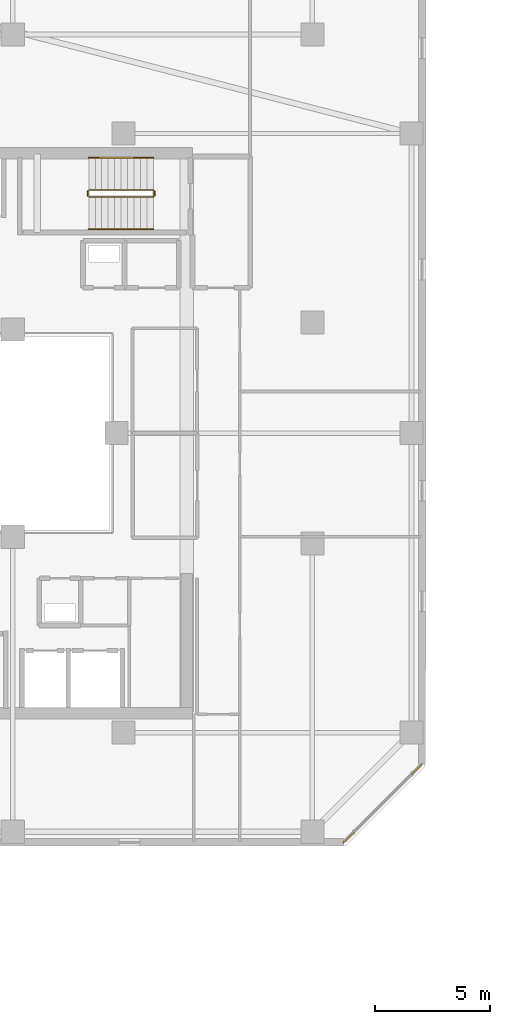
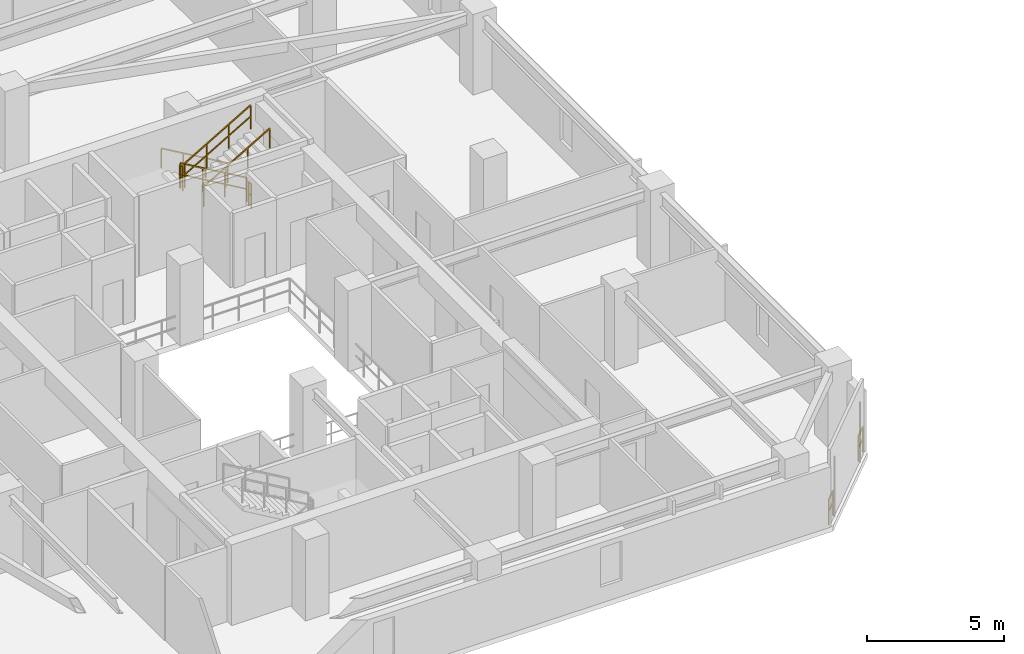
# One storey, part 31 of 33: 8 railings.
"""IFC4 building model written with IfcOpenShell, lengths in metres."""

from ifc_helpers import new_model, si_unit, direction, frame, origin, origin_2d, place, context, subcontext, project, spatial, rectangle, extrude, material, type_object, element, save


model = new_model("IFC4")

# Units and contexts
model_context = context("Model", 3, precision=1e-05, world=origin(), true_north=direction((0.0, 1.0)))
body_context = subcontext(model_context, "Body", "Model", "MODEL_VIEW")
ifc_project = project(units=[si_unit("LENGTHUNIT", "METRE"), si_unit("AREAUNIT", "SQUARE_METRE"), si_unit("VOLUMEUNIT", "CUBIC_METRE"), si_unit("PLANEANGLEUNIT", "RADIAN"), si_unit("MASSUNIT", "GRAM", prefix="KILO")], contexts=[model_context])

# Site, building, storey
site_placement = place(None, origin())
site = spatial("IfcSite", under=ifc_project, at=site_placement, CompositionType="ELEMENT")
building_placement = place(site_placement, origin())
building = spatial("IfcBuilding", under=site, at=building_placement, Name="Thornwick Lancets Civic Towers", CompositionType="ELEMENT")
storey_placement = place(building_placement, frame((0.0, 0.0, 210.89990234375)))
storey = spatial("IfcBuildingStorey", under=building, at=storey_placement, Name="L56", CompositionType="ELEMENT", Elevation=210.89990234375)

# Railings
ifc_material_1 = material(Name="Brushed stainless steel S355", Category="steel")
railing_type_1 = type_object("IfcRailingType", Name="RAIL_HANDRAIL", PredefinedType="HANDRAIL", material=ifc_material_1)
railing_1_placement = place(storey_placement, frame((31.60009765625, 38.949951171875, 0.163818359375)))
element("IfcRailing", 1, at=railing_1_placement, inside=storey, type_object=railing_type_1, Name="L56 ST-A2 stair handrail 1", PredefinedType="HANDRAIL", context=body_context, shape_type="SweptSolid", body=[
    extrude(rectangle(XDim=0.048095703125, YDim=0.048095703125, at=origin_2d()), frame((0.0, 0.0, 0.8857421875), z_axis=(-0.863393664356, 0.0, 0.504530851732), x_axis=(0.0, -1.0, 0.0)), (0.0, 0.0, 1.0), 3.2431640625),
    extrude(rectangle(XDim=0.0419921875, YDim=0.0419921875, at=origin_2d()), origin(), (0.0, 0.0, 1.0), 0.855712890625),
    extrude(rectangle(XDim=0.0419921875, YDim=0.0419921875, at=origin_2d()), frame((-0.933349609375, 0.0, 0.54541015625)), (0.0, 0.0, 1.0), 0.855712890625),
    extrude(rectangle(XDim=0.0419921875, YDim=0.0419921875, at=origin_2d()), frame((-1.86669921875, 0.0, 1.0908203125)), (0.0, 0.0, 1.0), 0.855712890625),
    extrude(rectangle(XDim=0.0419921875, YDim=0.0419921875, at=origin_2d()), frame((-2.800048828125, 0.0, 1.63623046875)), (0.0, 0.0, 1.0), 0.855712890625),
])
railing_2_placement = place(storey_placement, frame((28.800048828125, 35.85009765625, 1.963623046875)))
element("IfcRailing", 2, at=railing_2_placement, inside=storey, type_object=railing_type_1, Name="L56 ST-A2 stair handrail 2", PredefinedType="HANDRAIL", context=body_context, shape_type="SweptSolid", body=[
    extrude(rectangle(XDim=0.048095703125, YDim=0.048095703125, at=origin_2d()), frame((0.0, 0.0, 0.8857421875), z_axis=(0.863360870873, 0.0, 0.504586966384), x_axis=(0.0, 1.0, 0.0)), (0.0, 0.0, 1.0), 3.2431640625),
    extrude(rectangle(XDim=0.0419921875, YDim=0.0419921875, at=origin_2d()), origin(), (0.0, 0.0, 1.0), 0.855712890625),
    extrude(rectangle(XDim=0.0419921875, YDim=0.0419921875, at=origin_2d()), frame((0.933349609375, 0.0, 0.54541015625)), (0.0, 0.0, 1.0), 0.855712890625),
    extrude(rectangle(XDim=0.0419921875, YDim=0.0419921875, at=origin_2d()), frame((1.86669921875, 0.0, 1.091064453125)), (0.0, 0.0, 1.0), 0.855712890625),
    extrude(rectangle(XDim=0.0419921875, YDim=0.0419921875, at=origin_2d()), frame((2.800048828125, 0.0, 1.636474609375)), (0.0, 0.0, 1.0), 0.855712890625),
])
ifc_material_2 = material(Name="Steel S355JR", Category="steel")
railing_type_2 = type_object("IfcRailingType", Name="RAIL_STAIR_GUARD", PredefinedType="GUARDRAIL", material=ifc_material_2)
railing_3_placement = place(storey_placement, frame((31.60009765625, 37.550048828125, 0.163818359375)))
element("IfcRailing", 3, at=railing_3_placement, inside=storey, type_object=railing_type_2, Name="L56 ST-A2 stair guard 1", PredefinedType="GUARDRAIL", context=body_context, shape_type="SweptSolid", body=[
    extrude(rectangle(XDim=0.048095703125, YDim=0.048095703125, at=origin_2d()), frame((0.0, 0.0, 1.076171875), z_axis=(-0.863393664356, 0.0, 0.504530851732), x_axis=(0.0, -1.0, 0.0)), (0.0, 0.0, 1.0), 3.2431640625),
    extrude(rectangle(XDim=0.0419921875, YDim=0.0419921875, at=origin_2d()), frame((-0.032470703125, 0.0, 0.591064453125), z_axis=(-0.863393664356, 0.0, 0.504530851732), x_axis=(0.0, -1.0, 0.0)), (0.0, 0.0, 1.0), 1.006103515625),
    extrude(rectangle(XDim=0.0419921875, YDim=0.0419921875, at=origin_2d()), frame((-0.9658203125, 0.0, 1.136474609375), z_axis=(-0.863393664356, 0.0, 0.504530851732), x_axis=(0.0, -1.0, 0.0)), (0.0, 0.0, 1.0), 1.006103515625),
    extrude(rectangle(XDim=0.0419921875, YDim=0.0419921875, at=origin_2d()), frame((-1.899169921875, 0.0, 1.681884765625), z_axis=(-0.863393664356, 0.0, 0.504530851732), x_axis=(0.0, -1.0, 0.0)), (0.0, 0.0, 1.0), 1.006103515625),
    extrude(rectangle(XDim=0.0419921875, YDim=0.0419921875, at=origin_2d()), origin(), (0.0, 0.0, 1.0), 1.0458984375),
    extrude(rectangle(XDim=0.0419921875, YDim=0.0419921875, at=origin_2d()), frame((-0.933349609375, 0.0, 0.54541015625)), (0.0, 0.0, 1.0), 1.0458984375),
    extrude(rectangle(XDim=0.0419921875, YDim=0.0419921875, at=origin_2d()), frame((-1.86669921875, 0.0, 1.0908203125)), (0.0, 0.0, 1.0), 1.0458984375),
    extrude(rectangle(XDim=0.0419921875, YDim=0.0419921875, at=origin_2d()), frame((-2.800048828125, 0.0, 1.63623046875)), (0.0, 0.0, 1.0), 1.0458984375),
])
railing_4_placement = place(storey_placement, frame((28.75, 37.5, 1.800048828125)))
element("IfcRailing", 4, at=railing_4_placement, inside=storey, type_object=railing_type_2, Name="L56 ST-A2 stair guard 2", PredefinedType="GUARDRAIL", context=body_context, shape_type="SweptSolid", body=[
    extrude(rectangle(XDim=0.048095703125, YDim=0.048095703125, at=origin_2d()), frame((0.0, 0.0, 1.076171875), z_axis=(0.0, -1.0, 0.0), x_axis=(1.0, 0.0, 0.0)), (0.0, 0.0, 1.0), 0.199951171875),
    extrude(rectangle(XDim=0.0419921875, YDim=0.0419921875, at=origin_2d()), frame((0.0, -0.03759765625, 0.572021484375), z_axis=(0.0, -1.0, 0.0), x_axis=(1.0, 0.0, 0.0)), (0.0, 0.0, 1.0), 0.125),
    extrude(rectangle(XDim=0.0419921875, YDim=0.0419921875, at=origin_2d()), origin(), (0.0, 0.0, 1.0), 1.0458984375),
    extrude(rectangle(XDim=0.0419921875, YDim=0.0419921875, at=origin_2d()), frame((0.0, -0.199951171875, 0.0)), (0.0, 0.0, 1.0), 1.0458984375),
])
railing_5_placement = place(storey_placement, frame((28.800048828125, 37.25, 1.963623046875)))
element("IfcRailing", 5, at=railing_5_placement, inside=storey, type_object=railing_type_2, Name="L56 ST-A2 stair guard 3", PredefinedType="GUARDRAIL", context=body_context, shape_type="SweptSolid", body=[
    extrude(rectangle(XDim=0.048095703125, YDim=0.048095703125, at=origin_2d()), frame((0.0, 0.0, 1.076171875), z_axis=(0.863360870873, 0.0, 0.504586966384), x_axis=(0.0, 1.0, 0.0)), (0.0, 0.0, 1.0), 3.2431640625),
    extrude(rectangle(XDim=0.0419921875, YDim=0.0419921875, at=origin_2d()), frame((0.032470703125, 0.0, 0.591064453125), z_axis=(0.863360870873, 0.0, 0.504586966384), x_axis=(0.0, 1.0, 0.0)), (0.0, 0.0, 1.0), 1.006103515625),
    extrude(rectangle(XDim=0.0419921875, YDim=0.0419921875, at=origin_2d()), frame((0.9658203125, 0.0, 1.136474609375), z_axis=(0.863360870873, 0.0, 0.504586966384), x_axis=(0.0, 1.0, 0.0)), (0.0, 0.0, 1.0), 1.006103515625),
    extrude(rectangle(XDim=0.0419921875, YDim=0.0419921875, at=origin_2d()), frame((1.899169921875, 0.0, 1.681884765625), z_axis=(0.863360870873, 0.0, 0.504586966384), x_axis=(0.0, 1.0, 0.0)), (0.0, 0.0, 1.0), 1.006103515625),
    extrude(rectangle(XDim=0.0419921875, YDim=0.0419921875, at=origin_2d()), origin(), (0.0, 0.0, 1.0), 1.0458984375),
    extrude(rectangle(XDim=0.0419921875, YDim=0.0419921875, at=origin_2d()), frame((0.933349609375, 0.0, 0.54541015625)), (0.0, 0.0, 1.0), 1.0458984375),
    extrude(rectangle(XDim=0.0419921875, YDim=0.0419921875, at=origin_2d()), frame((1.86669921875, 0.0, 1.091064453125)), (0.0, 0.0, 1.0), 1.0458984375),
    extrude(rectangle(XDim=0.0419921875, YDim=0.0419921875, at=origin_2d()), frame((2.800048828125, 0.0, 1.636474609375)), (0.0, 0.0, 1.0), 1.0458984375),
])
railing_6_placement = place(storey_placement, frame((31.64990234375, 37.5, 0.0)))
element("IfcRailing", 6, at=railing_6_placement, inside=storey, type_object=railing_type_2, Name="L56 ST-A2 stair guard 4", PredefinedType="GUARDRAIL", context=body_context, shape_type="SweptSolid", body=[
    extrude(rectangle(XDim=0.048095703125, YDim=0.048095703125, at=origin_2d()), frame((0.0, 0.0, 1.076171875), z_axis=(0.0, -1.0, 0.0), x_axis=(1.0, 0.0, 0.0)), (0.0, 0.0, 1.0), 0.199951171875),
    extrude(rectangle(XDim=0.0419921875, YDim=0.0419921875, at=origin_2d()), frame((0.0, -0.03759765625, 0.572021484375), z_axis=(0.0, -1.0, 0.0), x_axis=(1.0, 0.0, 0.0)), (0.0, 0.0, 1.0), 0.125),
    extrude(rectangle(XDim=0.0419921875, YDim=0.0419921875, at=origin_2d()), origin(), (0.0, 0.0, 1.0), 1.0458984375),
    extrude(rectangle(XDim=0.0419921875, YDim=0.0419921875, at=origin_2d()), frame((0.0, -0.199951171875, 0.0)), (0.0, 0.0, 1.0), 1.0458984375),
])
ifc_material_3 = material(Name="Terracotta-capped laminated glass balustrade S355", Category="masonry")
railing_type_3 = type_object("IfcRailingType", Name="RAIL_TERR_GUARD", PredefinedType="GUARDRAIL", material=ifc_material_3)
for number, where, name in (
    (7, (39.853515625, 9.238037109375, 0.0), "L56 Tower A Chamfer Spandrel Guard E1-1"),
    (8, (42.823974609375, 12.20849609375, 0.0), "L56 Tower A Chamfer Spandrel Guard E1-2"),
):
    element("IfcRailing", number, at=place(storey_placement, frame(where)), inside=storey, type_object=railing_type_3, Name=name, PredefinedType="GUARDRAIL", context=body_context, shape_type="SweptSolid", body=[
        extrude(rectangle(XDim=0.048095703125, YDim=0.048095703125, at=origin_2d()), frame((0.0, 0.0, 1.1259765625), z_axis=(0.707106781187, 0.707106781187, 0.0), x_axis=(-0.707106781187, 0.707106781187, 0.0)), (0.0, 0.0, 1.0), 0.619384765625),
        extrude(rectangle(XDim=0.0419921875, YDim=0.0419921875, at=origin_2d()), frame((0.026611328125, 0.026611328125, 0.597900390625), z_axis=(0.707106781187, 0.707106781187, 0.0), x_axis=(-0.707106781187, 0.707106781187, 0.0)), (0.0, 0.0, 1.0), 0.54443359375),
        extrude(rectangle(XDim=0.0419921875, YDim=0.0419921875, at=origin_2d()), origin(), (0.0, 0.0, 1.0), 1.095703125),
        extrude(rectangle(XDim=0.0419921875, YDim=0.0419921875, at=origin_2d()), frame((0.43798828125, 0.43798828125, 0.0)), (0.0, 0.0, 1.0), 1.095703125),
    ])

save(model, "model.ifc")
